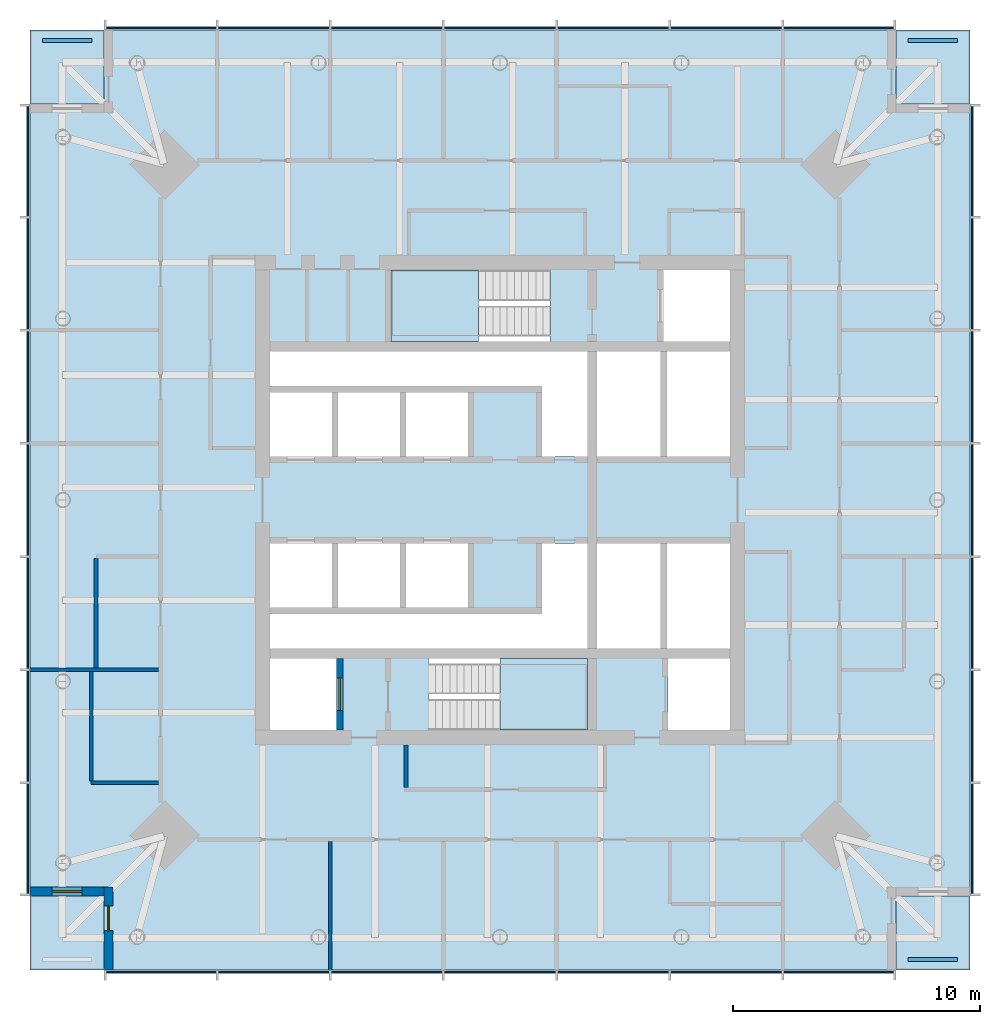
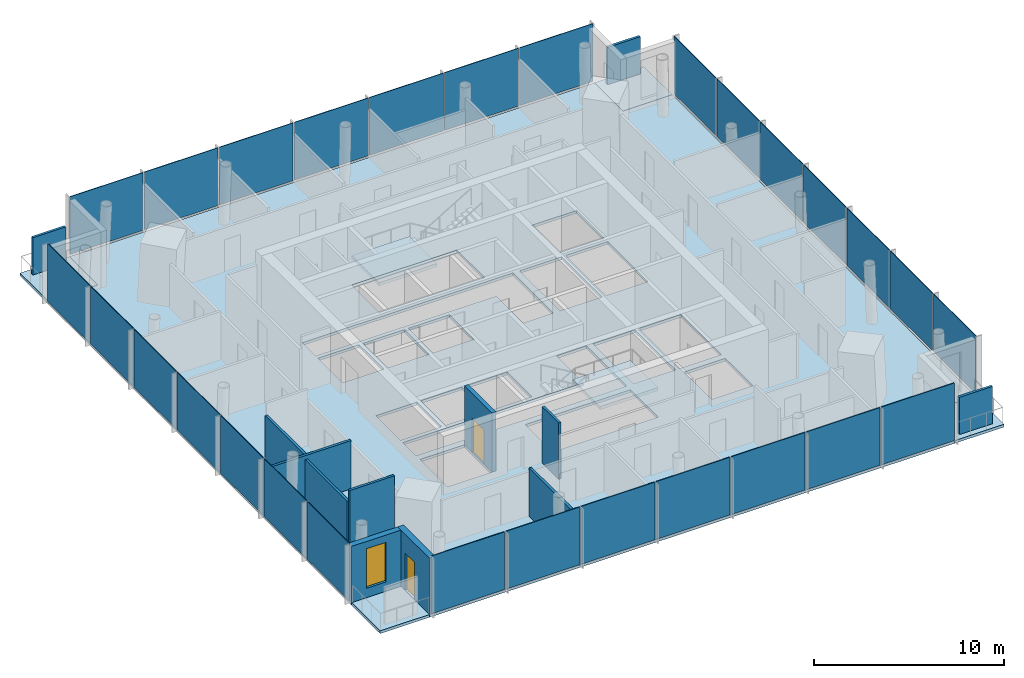
# One storey, part 3 of 7: 31 plates, 9 walls, 7 slabs, 2 doors, 1 window, 3 openings, 6 elements without a shape of their own.
"""IFC4 building model written with IfcOpenShell, lengths in metres."""

import ifcopenshell
import ifcopenshell.guid

model = None  # the IFC model being written
_history = None  # IfcOwnerHistory: only IFC2X3 demands one
_inside = {}  # id of a spatial element -> (the spatial element, [elements in it])
_under = {}  # id of a project, library or spatial element -> (it, [spatial elements below it])
_declared = {}  # id of a project -> (the project, [libraries it declares])
_typed = {}  # id of a type object -> (the type object, [elements of that type])
_made_of = {}  # id of a material, layer set ... -> (it, [elements and type objects made of it])


def new_model(schema):
    """Start an empty IFC model of exactly this schema.

    Asked for "IFC4X3", IfcOpenShell would pick the latest addendum, in which some entities
    have other attributes; the version numbers below select the first issue.
    IFC2X3 requires an IfcOwnerHistory on every rooted entity: one is made here for all.
    """
    global model, _history
    if schema == "IFC4X3":
        model = ifcopenshell.file(schema_version=(4, 3, 0, 0))
    else:
        model = ifcopenshell.file(schema=schema)
    _inside.clear()
    _under.clear()
    _declared.clear()
    _typed.clear()
    _made_of.clear()
    _history = None
    if model.schema == "IFC2X3":
        org = make("IfcOrganization", Name="unknown")
        user = make(
            "IfcPersonAndOrganization",
            ThePerson=make("IfcPerson", FamilyName="unknown"),
            TheOrganization=org,
        )
        app = make(
            "IfcApplication",
            ApplicationDeveloper=org,
            Version="unknown",
            ApplicationFullName="unknown",
            ApplicationIdentifier="unknown",
        )
        _history = make(
            "IfcOwnerHistory",
            OwningUser=user,
            OwningApplication=app,
            ChangeAction="ADDED",
            CreationDate=0,
        )
    return model


def make(cls, **values):
    """One entity of the class cls with the attributes given. An attribute that is None is left unset."""
    return model.create_entity(
        cls, **{name: value for name, value in values.items() if value is not None}
    )


def rooted(cls, **values):
    """An entity with a GlobalId (a new one), such as an element, a storey or a relation."""
    return make(cls, GlobalId=ifcopenshell.guid.new(), OwnerHistory=_history, **values)


def si_unit(unit_type, name, prefix=None):
    """IfcSIUnit, for example si_unit("LENGTHUNIT", "METRE", prefix="MILLI")."""
    return make("IfcSIUnit", UnitType=unit_type, Prefix=prefix, Name=name)


def assignment(units):
    """IfcUnitAssignment: the units of a project."""
    return None if units is None else make("IfcUnitAssignment", Units=units)


def point(xyz):
    """IfcCartesianPoint."""
    return None if xyz is None else make("IfcCartesianPoint", Coordinates=xyz)


def direction(xyz):
    """IfcDirection."""
    return None if xyz is None else make("IfcDirection", DirectionRatios=xyz)


def frame(location, z_axis=None, x_axis=None):
    """IfcAxis2Placement3D, a coordinate frame: its origin and axes. An axis left out is left unset."""
    return make(
        "IfcAxis2Placement3D",
        Location=point(location),
        Axis=direction(z_axis),
        RefDirection=direction(x_axis),
    )


def frame_2d(location, x_axis=None):
    """IfcAxis2Placement2D, a coordinate frame in the plane: its origin and x axis."""
    return make(
        "IfcAxis2Placement2D", Location=point(location), RefDirection=direction(x_axis)
    )


def origin():
    """The frame at (0, 0, 0) with its axes left unset."""
    return frame((0.0, 0.0, 0.0))


def origin_2d():
    """The frame at (0, 0) in the plane with its x axis left unset."""
    return frame_2d((0.0, 0.0))


def place(relative_to, where):
    """IfcLocalPlacement: puts the frame where relative to a parent placement (None: the world)."""
    return make(
        "IfcLocalPlacement", PlacementRelTo=relative_to, RelativePlacement=where
    )


def context(
    kind, dimensions, precision=None, world=None, true_north=None, identifier=None
):
    """IfcGeometricRepresentationContext, for example the 3D "Model" context."""
    return make(
        "IfcGeometricRepresentationContext",
        ContextIdentifier=identifier,
        ContextType=kind,
        CoordinateSpaceDimension=dimensions,
        Precision=precision,
        WorldCoordinateSystem=world,
        TrueNorth=true_north,
    )


def subcontext(parent, identifier, kind, view, scale=None):
    """IfcGeometricRepresentationSubContext, for example "Body" below "Model"."""
    return make(
        "IfcGeometricRepresentationSubContext",
        ContextIdentifier=identifier,
        ContextType=kind,
        ParentContext=parent,
        TargetScale=scale,
        TargetView=view,
    )


def project(units=None, contexts=None):
    """IfcProject with its units and contexts."""
    return rooted(
        "IfcProject",
        Name="project",
        RepresentationContexts=contexts,
        UnitsInContext=assignment(units),
    )


def spatial(cls, under=None, at=None, **own):
    """A site, building, storey or space (cls), placed at a placement, below another one or the project."""
    s = rooted(cls, ObjectPlacement=at, **own)
    if under is not None:
        _under.setdefault(under.id(), (under, []))[1].append(s)
    return s


def polyline(points):
    """IfcPolyline through the points."""
    return make("IfcPolyline", Points=[point(p) for p in points])


def profile(cls, at=None, kind="AREA", **sizes):
    """A parametric profile (cls). Its sizes go by their IFC names, for example OverallWidth=200.0."""
    return make(cls, ProfileType=kind, Position=at, **sizes)


def rectangle(**sizes):
    """IfcRectangleProfileDef."""
    return profile("IfcRectangleProfileDef", **sizes)


def outline(outer, holes=None, kind="AREA"):
    """IfcArbitraryClosedProfileDef: a profile drawn as a closed curve; with holes, ...WithVoids."""
    if holes is None:
        return make("IfcArbitraryClosedProfileDef", ProfileType=kind, OuterCurve=outer)
    return make(
        "IfcArbitraryProfileDefWithVoids",
        ProfileType=kind,
        OuterCurve=outer,
        InnerCurves=holes,
    )


def extrude(swept, where, along, depth):
    """IfcExtrudedAreaSolid: the profile swept, set in the frame where, extruded along a direction by depth."""
    return make(
        "IfcExtrudedAreaSolid",
        SweptArea=swept,
        Position=where,
        ExtrudedDirection=direction(along),
        Depth=depth,
    )


def shape(context_of_items, identifier, shape_type, items):
    """IfcShapeRepresentation: the items that make up one representation, for example the "Body"."""
    return make(
        "IfcShapeRepresentation",
        ContextOfItems=context_of_items,
        RepresentationIdentifier=identifier,
        RepresentationType=shape_type,
        Items=items,
    )


def material(Name=None, Category=None):
    """IfcMaterial."""
    return make("IfcMaterial", Name=Name, Category=Category)


def layer(
    of_material, thickness, ventilated=None, Name=None, Category=None, Priority=None
):
    """IfcMaterialLayer: one layer of a wall or slab, of a material (None: an air gap)."""
    return make(
        "IfcMaterialLayer",
        Material=of_material,
        LayerThickness=thickness,
        IsVentilated=ventilated,
        Name=Name,
        Category=Category,
        Priority=Priority,
    )


def layer_set(layers, Name=None):
    """IfcMaterialLayerSet."""
    return make("IfcMaterialLayerSet", MaterialLayers=layers, LayerSetName=Name)


def made_of(thing, what):
    """Note that an element or type object is made of a material, layer set ...; save() writes the relation."""
    if what is not None:
        _made_of.setdefault(what.id(), (what, []))[1].append(thing)
    return thing


def type_object(cls, material=None, **own):
    """A type object (cls), such as IfcWallType, which elements share."""
    return made_of(rooted(cls, **own), material)


def element(
    cls,
    number,
    at=None,
    inside=None,
    cuts=None,
    type_object=None,
    material=None,
    context=None,
    identifier="Body",
    shape_type=None,
    held_by="IfcProductDefinitionShape",
    body=None,
    shapes=None,
    **own,
):
    """One element of the class cls, such as IfcWall. Its Tag is "e" and its number.

    at: its placement. inside: the storey or other place that contains it. cuts: it is an
    opening in that element (IfcRelVoidsElement). A single representation is given by context,
    identifier, shape_type and body (its items); several are given by shapes. held_by: the class
    of the entity that holds the representations. save() writes the other relations.
    """
    e = rooted(cls, Tag="e%d" % number, ObjectPlacement=at, **own)
    if body is not None:
        shapes = [shape(context, identifier, shape_type, body)]
    if shapes is not None:
        e.Representation = make(held_by, Representations=shapes)
    if inside is not None:
        _inside.setdefault(inside.id(), (inside, []))[1].append(e)
    if cuts is not None:
        rooted(
            "IfcRelVoidsElement", RelatingBuildingElement=cuts, RelatedOpeningElement=e
        )
    if type_object is not None:
        _typed.setdefault(type_object.id(), (type_object, []))[1].append(e)
    return made_of(e, material)


def fill(opening, filler):
    """IfcRelFillsElement: the door or window that sits in an opening."""
    return rooted(
        "IfcRelFillsElement",
        RelatingOpeningElement=opening,
        RelatedBuildingElement=filler,
    )


def aggregate(whole, parts):
    """IfcRelAggregates: a whole, such as a stair, and the parts it consists of."""
    return rooted("IfcRelAggregates", RelatingObject=whole, RelatedObjects=parts)


def save(model, path):
    """Write the relations noted so far, then the file.

    IfcRelAggregates (storeys below a building ...), IfcRelContainedInSpatialStructure (elements
    in a storey), IfcRelDefinesByType, IfcRelAssociatesMaterial and IfcRelDeclares: one each for
    every whole, place, type object, material and project.
    """
    for whole, parts in _under.values():
        aggregate(whole, parts)
    for where, things in _inside.values():
        rooted(
            "IfcRelContainedInSpatialStructure",
            RelatedElements=things,
            RelatingStructure=where,
        )
    for kind, things in _typed.values():
        rooted("IfcRelDefinesByType", RelatedObjects=things, RelatingType=kind)
    for what, things in _made_of.values():
        rooted("IfcRelAssociatesMaterial", RelatedObjects=things, RelatingMaterial=what)
    for by, libraries in _declared.values():
        rooted("IfcRelDeclares", RelatingContext=by, RelatedDefinitions=libraries)
    model.write(path)


model = new_model("IFC4")

# Units and contexts
model_context = context("Model", 3, precision=1e-05, world=origin(), true_north=direction((0.0, 1.0)))
body_context = subcontext(model_context, "Body", "Model", "MODEL_VIEW")
ifc_project = project(units=[si_unit("LENGTHUNIT", "METRE"), si_unit("AREAUNIT", "SQUARE_METRE"), si_unit("VOLUMEUNIT", "CUBIC_METRE"), si_unit("PLANEANGLEUNIT", "RADIAN"), si_unit("MASSUNIT", "GRAM", prefix="KILO")], contexts=[model_context])

# Site, building, storey
site_placement = place(None, origin())
site = spatial("IfcSite", under=ifc_project, at=site_placement, CompositionType="ELEMENT")
building_placement = place(site_placement, origin())
building = spatial("IfcBuilding", under=site, at=building_placement, Name="Ostroluk Exchange", CompositionType="ELEMENT")
storey_placement = place(building_placement, frame((0.0, 0.0, 218.60009765625)))
storey = spatial("IfcBuildingStorey", under=building, at=storey_placement, Name="L56", CompositionType="ELEMENT", Elevation=218.60009765625)

# Slabs
ifc_material_1 = material(Name="Concrete C35/45", Category="concrete")
ifc_layer_1 = layer(ifc_material_1, 0.179931640625)
ifc_layer_set_1 = layer_set([ifc_layer_1], Name="Balcony slab 180")
slab_type_1 = type_object("IfcSlabType", Name="Balcony slab 180", PredefinedType="USERDEFINED", material=ifc_layer_set_1)
slab_1_placement = place(storey_placement, frame((0.0, 0.0, -0.18017578125)))
element("IfcSlab", 1, at=slab_1_placement, inside=storey, type_object=slab_type_1, Name="Office tower SE corner balcony L56", ObjectType="BALCONY", PredefinedType="USERDEFINED", context=body_context, shape_type="SweptSolid", body=[
    extrude(outline(polyline([(61.0, 27.0), (64.0, 27.0), (64.0, 30.0), (61.0, 30.0), (61.0, 27.0)])), origin(), (0.0, 0.0, 1.0), 0.18017578125),
])
slab_2_placement = place(storey_placement, frame((0.0, 0.0, -0.18017578125)))
element("IfcSlab", 2, at=slab_2_placement, inside=storey, type_object=slab_type_1, Name="Office tower NE corner balcony L56", ObjectType="BALCONY", PredefinedType="USERDEFINED", context=body_context, shape_type="SweptSolid", body=[
    extrude(outline(polyline([(61.0, 62.0), (64.0, 62.0), (64.0, 65.0), (61.0, 65.0), (61.0, 62.0)])), origin(), (0.0, 0.0, 1.0), 0.18017578125),
])
slab_3_placement = place(storey_placement, frame((0.0, 0.0, -0.18017578125)))
element("IfcSlab", 3, at=slab_3_placement, inside=storey, type_object=slab_type_1, Name="Office tower NW corner balcony L56", ObjectType="BALCONY", PredefinedType="USERDEFINED", context=body_context, shape_type="SweptSolid", body=[
    extrude(outline(polyline([(26.0, 62.0), (29.0, 62.0), (29.0, 65.0), (26.0, 65.0), (26.0, 62.0)])), origin(), (0.0, 0.0, 1.0), 0.18017578125),
])
slab_4_placement = place(storey_placement, frame((0.0, 0.0, -0.18017578125)))
element("IfcSlab", 4, at=slab_4_placement, inside=storey, type_object=slab_type_1, Name="Office tower SW corner balcony L56", ObjectType="BALCONY", PredefinedType="USERDEFINED", context=body_context, shape_type="SweptSolid", body=[
    extrude(outline(polyline([(26.0, 27.0), (29.0, 27.0), (29.0, 30.0), (26.0, 30.0), (26.0, 27.0)])), origin(), (0.0, 0.0, 1.0), 0.18017578125),
])

# Plates
ifc_material_2 = material(Name="Steel S355 trellis with planting", Category="steel")
ifc_layer_2 = layer(ifc_material_2, 0.14990234375)
ifc_layer_set_2 = layer_set([ifc_layer_2], Name="Planted screen 150")
plate_type_1 = type_object("IfcPlateType", Name="Planted screen 150", PredefinedType="USERDEFINED", material=ifc_layer_set_2)
for number, where, z_axis, x_axis, name in (
    (5, (62.5, 27.425048828125, 0.0), (0.0, 0.0, 1.0), (1.0, 0.0, 0.0), "Office tower SE planted screen L56"),
    (6, (62.5, 64.574951171875, 0.0), (0.0, 0.0, 1.0), (1.0, 0.0, 0.0), "Office tower NE planted screen L56"),
    (7, (27.5, 64.574951171875, 0.0), (0.0, 0.0, 1.0), (1.0, 0.0, 0.0), "Office tower NW planted screen L56"),
):
    element("IfcPlate", number, at=place(storey_placement, frame(where, z_axis=z_axis, x_axis=x_axis)), inside=storey, type_object=plate_type_1, Name=name, ObjectType="PLANTED SCREEN", PredefinedType="USERDEFINED", context=body_context, shape_type="SweptSolid", body=[
        extrude(rectangle(XDim=2.0, YDim=0.14990234375, at=origin_2d()), origin(), (0.0, 0.0, 1.0), 2.39990234375),
    ])

# Stair, slab
ifc_material_3 = material(Name="Concrete C30/37", Category="concrete")
stair_type = type_object("IfcStairType", Name="Exit stair half turn 3800", PredefinedType="HALF_TURN_STAIR", material=ifc_material_3)
stair_1_placement = place(storey_placement, origin())
stair_1 = element("IfcStair", 8, at=stair_1_placement, inside=storey, type_object=stair_type, Name="Stair T1-S1 L56", PredefinedType="HALF_TURN_STAIR")
ifc_material_4 = material(Name="Concrete C30/37", Category="concrete")
ifc_layer_3 = layer(ifc_material_4, 0.199951171875)
ifc_layer_set_3 = layer_set([ifc_layer_3], Name="Stair landing 200")
slab_type_2 = type_object("IfcSlabType", Name="Stair landing 200", PredefinedType="LANDING", material=ifc_layer_set_3)
slab_5_placement = place(storey_placement, frame((0.0, 0.0, 1.699951171875)))
slab_5 = element("IfcSlab", 9, at=slab_5_placement, type_object=slab_type_2, Name="T1-S1 landing 1", PredefinedType="LANDING", context=body_context, shape_type="SweptSolid", body=[
    extrude(outline(polyline([(45.0, 36.699951171875), (45.0, 39.60009765625), (48.530029296875, 39.60009765625), (48.530029296875, 36.699951171875), (45.0, 36.699951171875)])), origin(), (0.0, 0.0, 1.0), 0.199951171875),
])
aggregate(stair_1, [slab_5])

stair_2_placement = place(storey_placement, origin())
stair_2 = element("IfcStair", 10, at=stair_2_placement, inside=storey, type_object=stair_type, Name="Stair T1-S2 L56", PredefinedType="HALF_TURN_STAIR")
slab_6_placement = place(storey_placement, frame((0.0, 0.0, 1.699951171875)))
slab_6 = element("IfcSlab", 11, at=slab_6_placement, type_object=slab_type_2, Name="T1-S2 landing 1", PredefinedType="LANDING", context=body_context, shape_type="SweptSolid", body=[
    extrude(outline(polyline([(44.1298828125, 52.39990234375), (44.1298828125, 55.300048828125), (40.60009765625, 55.300048828125), (40.60009765625, 52.39990234375), (44.1298828125, 52.39990234375)])), origin(), (0.0, 0.0, 1.0), 0.199951171875),
])
aggregate(stair_2, [slab_6])

# Slab
ifc_material_5 = material(Name="Concrete C35/45", Category="concrete")
ifc_layer_4 = layer(ifc_material_5, 0.179931640625)
ifc_layer_set_4 = layer_set([ifc_layer_4], Name="Tower floor slab 180 composite")
slab_type_3 = type_object("IfcSlabType", Name="Tower floor slab 180 composite", PredefinedType="FLOOR", material=ifc_layer_set_4)
slab_7_placement = place(storey_placement, frame((0.0, 0.0, -0.18017578125)))
element("IfcSlab", 12, at=slab_7_placement, inside=storey, type_object=slab_type_3, Name="Office tower floor slab L56", PredefinedType="FLOOR", context=body_context, shape_type="SweptSolid", body=[
    extrude(outline(polyline([(29.0, 27.0), (61.0, 27.0), (61.0, 30.0), (64.0, 30.0), (64.0, 62.0), (61.0, 62.0), (61.0, 65.0), (29.0, 65.0), (29.0, 62.0), (26.0, 62.0), (26.0, 30.0), (29.0, 30.0), (29.0, 27.0)]), holes=[polyline([(35.699951171875, 36.699951171875), (38.39990234375, 36.699951171875), (38.39990234375, 39.60009765625), (35.699951171875, 39.60009765625), (35.699951171875, 36.699951171875)]), polyline([(42.110107421875, 36.699951171875), (48.530029296875, 36.699951171875), (48.530029296875, 39.60009765625), (42.110107421875, 39.60009765625), (42.110107421875, 36.699951171875)]), polyline([(51.800048828125, 36.699951171875), (54.300048828125, 36.699951171875), (54.300048828125, 39.60009765625), (51.800048828125, 39.60009765625), (51.800048828125, 36.699951171875)]), polyline([(40.60009765625, 52.39990234375), (47.02001953125, 52.39990234375), (47.02001953125, 55.300048828125), (40.60009765625, 55.300048828125), (40.60009765625, 52.39990234375)]), polyline([(51.60009765625, 52.39990234375), (54.300048828125, 52.39990234375), (54.300048828125, 55.300048828125), (51.60009765625, 55.300048828125), (51.60009765625, 52.39990234375)]), polyline([(35.699951171875, 47.75), (38.199951171875, 47.75), (38.199951171875, 50.35009765625), (35.699951171875, 50.35009765625), (35.699951171875, 47.75)]), polyline([(38.449951171875, 47.75), (40.949951171875, 47.75), (40.949951171875, 50.35009765625), (38.449951171875, 50.35009765625), (38.449951171875, 47.75)]), polyline([(41.199951171875, 47.75), (43.699951171875, 47.75), (43.699951171875, 50.35009765625), (41.199951171875, 50.35009765625), (41.199951171875, 47.75)]), polyline([(35.699951171875, 41.64990234375), (38.199951171875, 41.64990234375), (38.199951171875, 44.25), (35.699951171875, 44.25), (35.699951171875, 41.64990234375)]), polyline([(38.449951171875, 41.64990234375), (40.949951171875, 41.64990234375), (40.949951171875, 44.25), (38.449951171875, 44.25), (38.449951171875, 41.64990234375)]), polyline([(41.199951171875, 41.64990234375), (43.699951171875, 41.64990234375), (43.699951171875, 44.25), (41.199951171875, 44.25), (41.199951171875, 41.64990234375)]), polyline([(48.929931640625, 47.75), (51.489990234375, 47.75), (51.489990234375, 52.0), (48.929931640625, 52.0), (48.929931640625, 47.75)]), polyline([(51.739990234375, 47.75), (54.300048828125, 47.75), (54.300048828125, 52.0), (51.739990234375, 52.0), (51.739990234375, 47.75)]), polyline([(48.929931640625, 40.0), (51.489990234375, 40.0), (51.489990234375, 44.25), (48.929931640625, 44.25), (48.929931640625, 40.0)]), polyline([(51.739990234375, 40.0), (54.300048828125, 40.0), (54.300048828125, 44.25), (51.739990234375, 44.25), (51.739990234375, 40.0)]), polyline([(48.530029296875, 52.0), (48.530029296875, 47.75), (46.699951171875, 47.75), (46.699951171875, 50.60009765625), (35.699951171875, 50.60009765625), (35.699951171875, 52.0), (48.530029296875, 52.0)]), polyline([(35.699951171875, 40.0), (35.699951171875, 41.39990234375), (46.699951171875, 41.39990234375), (46.699951171875, 44.25), (48.530029296875, 44.25), (48.530029296875, 40.0), (35.699951171875, 40.0)])]), origin(), (0.0, 0.0, 1.0), 0.18017578125),
])

# Curtain wall, plates
ifc_material_6 = material(Name="Laminated clear glass", Category="glass")
curtain_wall_type = type_object("IfcCurtainWallType", Name="Office tower facade", PredefinedType="USERDEFINED", material=ifc_material_6)
curtain_wall_1_placement = place(storey_placement, origin())
curtain_wall_1 = element("IfcCurtainWall", 13, at=curtain_wall_1_placement, inside=storey, type_object=curtain_wall_type, Name="Office tower south facade L56", ObjectType="UNITISED CURTAIN WALL", PredefinedType="USERDEFINED")
ifc_material_7 = material(Name="Laminated clear glass", Category="glass")
ifc_layer_5 = layer(ifc_material_7, 0.0439453125)
ifc_layer_set_5 = layer_set([ifc_layer_5], Name="Triple laminated clear glazing 44")
plate_type_2 = type_object("IfcPlateType", Name="Triple laminated clear glazing 44", PredefinedType="CURTAIN_PANEL", material=ifc_layer_set_5)
plate_1_placement = place(storey_placement, frame((31.3056640625, 26.925048828125, 0.080078125), z_axis=(0.0, 0.0, 1.0), x_axis=(1.0, 0.0, 0.0)))
plate_1 = element("IfcPlate", 14, at=plate_1_placement, type_object=plate_type_2, Name="CW-O1 panel 1.1", PredefinedType="CURTAIN_PANEL", context=body_context, shape_type="SweptSolid", body=[
    extrude(rectangle(XDim=4.451416015625, YDim=0.0439453125, at=origin_2d()), origin(), (0.0, 0.0, 1.0), 3.719970703125),
])
plate_2_placement = place(storey_placement, frame((35.857177734375, 26.925048828125, 0.080078125), z_axis=(0.0, 0.0, 1.0), x_axis=(1.0, 0.0, 0.0)))
plate_2 = element("IfcPlate", 15, at=plate_2_placement, type_object=plate_type_2, Name="CW-O1 panel 2.1", PredefinedType="CURTAIN_PANEL", context=body_context, shape_type="SweptSolid", body=[
    extrude(rectangle(XDim=4.491455078125, YDim=0.0439453125, at=origin_2d()), origin(), (0.0, 0.0, 1.0), 3.719970703125),
])
plate_3_placement = place(storey_placement, frame((40.428466796875, 26.925048828125, 0.080078125), z_axis=(0.0, 0.0, 1.0), x_axis=(1.0, 0.0, 0.0)))
plate_3 = element("IfcPlate", 16, at=plate_3_placement, type_object=plate_type_2, Name="CW-O1 panel 3.1", PredefinedType="CURTAIN_PANEL", context=body_context, shape_type="SweptSolid", body=[
    extrude(rectangle(XDim=4.491455078125, YDim=0.0439453125, at=origin_2d()), origin(), (0.0, 0.0, 1.0), 3.719970703125),
])
plate_4_placement = place(storey_placement, frame((45.0, 26.925048828125, 0.080078125), z_axis=(0.0, 0.0, 1.0), x_axis=(1.0, 0.0, 0.0)))
plate_4 = element("IfcPlate", 17, at=plate_4_placement, type_object=plate_type_2, Name="CW-O1 panel 4.1", PredefinedType="CURTAIN_PANEL", context=body_context, shape_type="SweptSolid", body=[
    extrude(rectangle(XDim=4.491455078125, YDim=0.0439453125, at=origin_2d()), origin(), (0.0, 0.0, 1.0), 3.719970703125),
])
plate_5_placement = place(storey_placement, frame((49.571533203125, 26.925048828125, 0.080078125), z_axis=(0.0, 0.0, 1.0), x_axis=(1.0, 0.0, 0.0)))
plate_5 = element("IfcPlate", 18, at=plate_5_placement, type_object=plate_type_2, Name="CW-O1 panel 5.1", PredefinedType="CURTAIN_PANEL", context=body_context, shape_type="SweptSolid", body=[
    extrude(rectangle(XDim=4.491455078125, YDim=0.0439453125, at=origin_2d()), origin(), (0.0, 0.0, 1.0), 3.719970703125),
])
plate_6_placement = place(storey_placement, frame((54.142822265625, 26.925048828125, 0.080078125), z_axis=(0.0, 0.0, 1.0), x_axis=(1.0, 0.0, 0.0)))
plate_6 = element("IfcPlate", 19, at=plate_6_placement, type_object=plate_type_2, Name="CW-O1 panel 6.1", PredefinedType="CURTAIN_PANEL", context=body_context, shape_type="SweptSolid", body=[
    extrude(rectangle(XDim=4.491455078125, YDim=0.0439453125, at=origin_2d()), origin(), (0.0, 0.0, 1.0), 3.719970703125),
])
plate_7_placement = place(storey_placement, frame((58.6943359375, 26.925048828125, 0.080078125), z_axis=(0.0, 0.0, 1.0), x_axis=(1.0, 0.0, 0.0)))
plate_7 = element("IfcPlate", 20, at=plate_7_placement, type_object=plate_type_2, Name="CW-O1 panel 7.1", PredefinedType="CURTAIN_PANEL", context=body_context, shape_type="SweptSolid", body=[
    extrude(rectangle(XDim=4.451416015625, YDim=0.0439453125, at=origin_2d()), origin(), (0.0, 0.0, 1.0), 3.719970703125),
])
aggregate(curtain_wall_1, [plate_1, plate_2, plate_3, plate_4, plate_5, plate_6, plate_7])

curtain_wall_2_placement = place(storey_placement, origin())
curtain_wall_2 = element("IfcCurtainWall", 21, at=curtain_wall_2_placement, inside=storey, type_object=curtain_wall_type, Name="Office tower east facade L56", ObjectType="UNITISED CURTAIN WALL", PredefinedType="USERDEFINED")
plate_8_placement = place(storey_placement, frame((64.074951171875, 32.3056640625, 0.080078125), z_axis=(0.0, 0.0, 1.0), x_axis=(0.0, 1.0, 0.0)))
plate_8 = element("IfcPlate", 22, at=plate_8_placement, type_object=plate_type_2, Name="CW-O1 panel 1.1", PredefinedType="CURTAIN_PANEL", context=body_context, shape_type="SweptSolid", body=[
    extrude(rectangle(XDim=4.451416015625, YDim=0.0439453125, at=origin_2d()), origin(), (0.0, 0.0, 1.0), 3.719970703125),
])
plate_9_placement = place(storey_placement, frame((64.074951171875, 36.857177734375, 0.080078125), z_axis=(0.0, 0.0, 1.0), x_axis=(0.0, 1.0, 0.0)))
plate_9 = element("IfcPlate", 23, at=plate_9_placement, type_object=plate_type_2, Name="CW-O1 panel 2.1", PredefinedType="CURTAIN_PANEL", context=body_context, shape_type="SweptSolid", body=[
    extrude(rectangle(XDim=4.491455078125, YDim=0.0439453125, at=origin_2d()), origin(), (0.0, 0.0, 1.0), 3.719970703125),
])
plate_10_placement = place(storey_placement, frame((64.074951171875, 41.428466796875, 0.080078125), z_axis=(0.0, 0.0, 1.0), x_axis=(0.0, 1.0, 0.0)))
plate_10 = element("IfcPlate", 24, at=plate_10_placement, type_object=plate_type_2, Name="CW-O1 panel 3.1", PredefinedType="CURTAIN_PANEL", context=body_context, shape_type="SweptSolid", body=[
    extrude(rectangle(XDim=4.491455078125, YDim=0.0439453125, at=origin_2d()), origin(), (0.0, 0.0, 1.0), 3.719970703125),
])
plate_11_placement = place(storey_placement, frame((64.074951171875, 46.0, 0.080078125), z_axis=(0.0, 0.0, 1.0), x_axis=(0.0, 1.0, 0.0)))
plate_11 = element("IfcPlate", 25, at=plate_11_placement, type_object=plate_type_2, Name="CW-O1 panel 4.1", PredefinedType="CURTAIN_PANEL", context=body_context, shape_type="SweptSolid", body=[
    extrude(rectangle(XDim=4.491455078125, YDim=0.0439453125, at=origin_2d()), origin(), (0.0, 0.0, 1.0), 3.719970703125),
])
plate_12_placement = place(storey_placement, frame((64.074951171875, 50.571533203125, 0.080078125), z_axis=(0.0, 0.0, 1.0), x_axis=(0.0, 1.0, 0.0)))
plate_12 = element("IfcPlate", 26, at=plate_12_placement, type_object=plate_type_2, Name="CW-O1 panel 5.1", PredefinedType="CURTAIN_PANEL", context=body_context, shape_type="SweptSolid", body=[
    extrude(rectangle(XDim=4.491455078125, YDim=0.0439453125, at=origin_2d()), origin(), (0.0, 0.0, 1.0), 3.719970703125),
])
plate_13_placement = place(storey_placement, frame((64.074951171875, 55.142822265625, 0.080078125), z_axis=(0.0, 0.0, 1.0), x_axis=(0.0, 1.0, 0.0)))
plate_13 = element("IfcPlate", 27, at=plate_13_placement, type_object=plate_type_2, Name="CW-O1 panel 6.1", PredefinedType="CURTAIN_PANEL", context=body_context, shape_type="SweptSolid", body=[
    extrude(rectangle(XDim=4.491455078125, YDim=0.0439453125, at=origin_2d()), origin(), (0.0, 0.0, 1.0), 3.719970703125),
])
plate_14_placement = place(storey_placement, frame((64.074951171875, 59.6943359375, 0.080078125), z_axis=(0.0, 0.0, 1.0), x_axis=(0.0, 1.0, 0.0)))
plate_14 = element("IfcPlate", 28, at=plate_14_placement, type_object=plate_type_2, Name="CW-O1 panel 7.1", PredefinedType="CURTAIN_PANEL", context=body_context, shape_type="SweptSolid", body=[
    extrude(rectangle(XDim=4.451416015625, YDim=0.0439453125, at=origin_2d()), origin(), (0.0, 0.0, 1.0), 3.719970703125),
])
aggregate(curtain_wall_2, [plate_8, plate_9, plate_10, plate_11, plate_12, plate_13, plate_14])

curtain_wall_3_placement = place(storey_placement, origin())
curtain_wall_3 = element("IfcCurtainWall", 29, at=curtain_wall_3_placement, inside=storey, type_object=curtain_wall_type, Name="Office tower north facade L56", ObjectType="UNITISED CURTAIN WALL", PredefinedType="USERDEFINED")
plate_15_placement = place(storey_placement, frame((58.6943359375, 65.074951171875, 0.080078125), z_axis=(0.0, 0.0, 1.0), x_axis=(-1.0, 0.0, 0.0)))
plate_15 = element("IfcPlate", 30, at=plate_15_placement, type_object=plate_type_2, Name="CW-O1 panel 1.1", PredefinedType="CURTAIN_PANEL", context=body_context, shape_type="SweptSolid", body=[
    extrude(rectangle(XDim=4.451416015625, YDim=0.0439453125, at=origin_2d()), origin(), (0.0, 0.0, 1.0), 3.719970703125),
])
plate_16_placement = place(storey_placement, frame((54.142822265625, 65.074951171875, 0.080078125), z_axis=(0.0, 0.0, 1.0), x_axis=(-1.0, 0.0, 0.0)))
plate_16 = element("IfcPlate", 31, at=plate_16_placement, type_object=plate_type_2, Name="CW-O1 panel 2.1", PredefinedType="CURTAIN_PANEL", context=body_context, shape_type="SweptSolid", body=[
    extrude(rectangle(XDim=4.491455078125, YDim=0.0439453125, at=origin_2d()), origin(), (0.0, 0.0, 1.0), 3.719970703125),
])
plate_17_placement = place(storey_placement, frame((49.571533203125, 65.074951171875, 0.080078125), z_axis=(0.0, 0.0, 1.0), x_axis=(-1.0, 0.0, 0.0)))
plate_17 = element("IfcPlate", 32, at=plate_17_placement, type_object=plate_type_2, Name="CW-O1 panel 3.1", PredefinedType="CURTAIN_PANEL", context=body_context, shape_type="SweptSolid", body=[
    extrude(rectangle(XDim=4.491455078125, YDim=0.0439453125, at=origin_2d()), origin(), (0.0, 0.0, 1.0), 3.719970703125),
])
plate_18_placement = place(storey_placement, frame((45.0, 65.074951171875, 0.080078125), z_axis=(0.0, 0.0, 1.0), x_axis=(-1.0, 0.0, 0.0)))
plate_18 = element("IfcPlate", 33, at=plate_18_placement, type_object=plate_type_2, Name="CW-O1 panel 4.1", PredefinedType="CURTAIN_PANEL", context=body_context, shape_type="SweptSolid", body=[
    extrude(rectangle(XDim=4.491455078125, YDim=0.0439453125, at=origin_2d()), origin(), (0.0, 0.0, 1.0), 3.719970703125),
])
plate_19_placement = place(storey_placement, frame((40.428466796875, 65.074951171875, 0.080078125), z_axis=(0.0, 0.0, 1.0), x_axis=(-1.0, 0.0, 0.0)))
plate_19 = element("IfcPlate", 34, at=plate_19_placement, type_object=plate_type_2, Name="CW-O1 panel 5.1", PredefinedType="CURTAIN_PANEL", context=body_context, shape_type="SweptSolid", body=[
    extrude(rectangle(XDim=4.491455078125, YDim=0.0439453125, at=origin_2d()), origin(), (0.0, 0.0, 1.0), 3.719970703125),
])
plate_20_placement = place(storey_placement, frame((35.857177734375, 65.074951171875, 0.080078125), z_axis=(0.0, 0.0, 1.0), x_axis=(-1.0, 0.0, 0.0)))
plate_20 = element("IfcPlate", 35, at=plate_20_placement, type_object=plate_type_2, Name="CW-O1 panel 6.1", PredefinedType="CURTAIN_PANEL", context=body_context, shape_type="SweptSolid", body=[
    extrude(rectangle(XDim=4.491455078125, YDim=0.0439453125, at=origin_2d()), origin(), (0.0, 0.0, 1.0), 3.719970703125),
])
plate_21_placement = place(storey_placement, frame((31.3056640625, 65.074951171875, 0.080078125), z_axis=(0.0, 0.0, 1.0), x_axis=(-1.0, 0.0, 0.0)))
plate_21 = element("IfcPlate", 36, at=plate_21_placement, type_object=plate_type_2, Name="CW-O1 panel 7.1", PredefinedType="CURTAIN_PANEL", context=body_context, shape_type="SweptSolid", body=[
    extrude(rectangle(XDim=4.451416015625, YDim=0.0439453125, at=origin_2d()), origin(), (0.0, 0.0, 1.0), 3.719970703125),
])
aggregate(curtain_wall_3, [plate_15, plate_16, plate_17, plate_18, plate_19, plate_20, plate_21])

curtain_wall_4_placement = place(storey_placement, origin())
curtain_wall_4 = element("IfcCurtainWall", 37, at=curtain_wall_4_placement, inside=storey, type_object=curtain_wall_type, Name="Office tower west facade L56", ObjectType="UNITISED CURTAIN WALL", PredefinedType="USERDEFINED")
plate_22_placement = place(storey_placement, frame((25.925048828125, 59.6943359375, 0.080078125), z_axis=(0.0, 0.0, 1.0), x_axis=(0.0, -1.0, 0.0)))
plate_22 = element("IfcPlate", 38, at=plate_22_placement, type_object=plate_type_2, Name="CW-O1 panel 1.1", PredefinedType="CURTAIN_PANEL", context=body_context, shape_type="SweptSolid", body=[
    extrude(rectangle(XDim=4.451416015625, YDim=0.0439453125, at=origin_2d()), origin(), (0.0, 0.0, 1.0), 3.719970703125),
])
plate_23_placement = place(storey_placement, frame((25.925048828125, 55.142822265625, 0.080078125), z_axis=(0.0, 0.0, 1.0), x_axis=(0.0, -1.0, 0.0)))
plate_23 = element("IfcPlate", 39, at=plate_23_placement, type_object=plate_type_2, Name="CW-O1 panel 2.1", PredefinedType="CURTAIN_PANEL", context=body_context, shape_type="SweptSolid", body=[
    extrude(rectangle(XDim=4.491455078125, YDim=0.0439453125, at=origin_2d()), origin(), (0.0, 0.0, 1.0), 3.719970703125),
])
plate_24_placement = place(storey_placement, frame((25.925048828125, 50.571533203125, 0.080078125), z_axis=(0.0, 0.0, 1.0), x_axis=(0.0, -1.0, 0.0)))
plate_24 = element("IfcPlate", 40, at=plate_24_placement, type_object=plate_type_2, Name="CW-O1 panel 3.1", PredefinedType="CURTAIN_PANEL", context=body_context, shape_type="SweptSolid", body=[
    extrude(rectangle(XDim=4.491455078125, YDim=0.0439453125, at=origin_2d()), origin(), (0.0, 0.0, 1.0), 3.719970703125),
])
plate_25_placement = place(storey_placement, frame((25.925048828125, 46.0, 0.080078125), z_axis=(0.0, 0.0, 1.0), x_axis=(0.0, -1.0, 0.0)))
plate_25 = element("IfcPlate", 41, at=plate_25_placement, type_object=plate_type_2, Name="CW-O1 panel 4.1", PredefinedType="CURTAIN_PANEL", context=body_context, shape_type="SweptSolid", body=[
    extrude(rectangle(XDim=4.491455078125, YDim=0.0439453125, at=origin_2d()), origin(), (0.0, 0.0, 1.0), 3.719970703125),
])
plate_26_placement = place(storey_placement, frame((25.925048828125, 41.428466796875, 0.080078125), z_axis=(0.0, 0.0, 1.0), x_axis=(0.0, -1.0, 0.0)))
plate_26 = element("IfcPlate", 42, at=plate_26_placement, type_object=plate_type_2, Name="CW-O1 panel 5.1", PredefinedType="CURTAIN_PANEL", context=body_context, shape_type="SweptSolid", body=[
    extrude(rectangle(XDim=4.491455078125, YDim=0.0439453125, at=origin_2d()), origin(), (0.0, 0.0, 1.0), 3.719970703125),
])
plate_27_placement = place(storey_placement, frame((25.925048828125, 36.857177734375, 0.080078125), z_axis=(0.0, 0.0, 1.0), x_axis=(0.0, -1.0, 0.0)))
plate_27 = element("IfcPlate", 43, at=plate_27_placement, type_object=plate_type_2, Name="CW-O1 panel 6.1", PredefinedType="CURTAIN_PANEL", context=body_context, shape_type="SweptSolid", body=[
    extrude(rectangle(XDim=4.491455078125, YDim=0.0439453125, at=origin_2d()), origin(), (0.0, 0.0, 1.0), 3.719970703125),
])
plate_28_placement = place(storey_placement, frame((25.925048828125, 32.3056640625, 0.080078125), z_axis=(0.0, 0.0, 1.0), x_axis=(0.0, -1.0, 0.0)))
plate_28 = element("IfcPlate", 44, at=plate_28_placement, type_object=plate_type_2, Name="CW-O1 panel 7.1", PredefinedType="CURTAIN_PANEL", context=body_context, shape_type="SweptSolid", body=[
    extrude(rectangle(XDim=4.451416015625, YDim=0.0439453125, at=origin_2d()), origin(), (0.0, 0.0, 1.0), 3.719970703125),
])
aggregate(curtain_wall_4, [plate_22, plate_23, plate_24, plate_25, plate_26, plate_27, plate_28])

# Wall, opening, door
ifc_material_8 = material(Name="Concrete C40/50", Category="concrete")
ifc_layer_6 = layer(ifc_material_8, 0.25)
ifc_layer_set_6 = layer_set([ifc_layer_6], Name="Core shaft wall 250")
wall_type_1 = type_object("IfcWallType", Name="Core shaft wall 250", PredefinedType="SHEAR", material=ifc_layer_set_6)
wall_1_placement = place(storey_placement, frame((38.52490234375, 36.699951171875, 0.0), z_axis=(0.0, 0.0, 1.0), x_axis=(0.0, 1.0, 0.0)))
wall_1 = element("IfcWall", 45, at=wall_1_placement, inside=storey, type_object=wall_type_1, Name="Firefighting lift shaft wall", PredefinedType="SHEAR", context=body_context, shape_type="SweptSolid", body=[
    extrude(rectangle(XDim=2.900146484375, YDim=0.25, at=frame_2d((1.4501953125, 0.0))), origin(), (0.0, 0.0, 1.0), 3.7998046875),
])
opening_1_placement = place(wall_1_placement, frame((0.800048828125, 0.0, 0.0)))
opening_1 = element("IfcOpeningElement", 46, at=opening_1_placement, cuts=wall_1, Name="Opening LD2", PredefinedType="OPENING", context=body_context, shape_type="SweptSolid", body=[
    extrude(rectangle(XDim=1.300048828125, YDim=2.199951171875, at=frame_2d((0.64990234375, 1.10009765625))), frame((0.0, 0.135009765625, 0.0), z_axis=(0.0, -1.0, 0.0), x_axis=(1.0, 0.0, 0.0)), (0.0, 0.0, 1.0), 0.27001953125),
])
ifc_material_9 = material(Name="Stainless steel", Category="steel")
door_type_1 = type_object("IfcDoorType", Name="Lift landing door E 60 1300 x 2200", OperationType="DOUBLE_DOOR_SLIDING", PredefinedType="DOOR", material=ifc_material_9)
door_1_placement = place(opening_1_placement, origin())
door_1 = element("IfcDoor", 47, at=door_1_placement, inside=storey, type_object=door_type_1, Name="Lift FL1 landing door", OperationType="DOUBLE_DOOR_SLIDING", OverallHeight=2.199951171875, OverallWidth=1.300048828125, PredefinedType="DOOR", context=body_context, shape_type="SweptSolid", body=[
    extrude(rectangle(XDim=1.300048828125, YDim=2.199951171875, at=frame_2d((0.64990234375, 1.10009765625))), frame((0.0, 0.02490234375, 0.0), z_axis=(0.0, -1.0, 0.0), x_axis=(1.0, 0.0, 0.0)), (0.0, 0.0, 1.0), 0.050048828125),
])
fill(opening_1, door_1)

ifc_material_10 = material(Name="Limestone", Category="masonry")
ifc_layer_7 = layer(ifc_material_10, 0.35009765625)
ifc_layer_set_7 = layer_set([ifc_layer_7], Name="Limestone facade wall 350")
wall_type_2 = type_object("IfcWallType", Name="Limestone facade wall 350", PredefinedType="SOLIDWALL", material=ifc_layer_set_7)
wall_2_placement = place(storey_placement, frame((29.175048828125, 27.0, 0.0), z_axis=(0.0, 0.0, 1.0), x_axis=(0.0, 1.0, 0.0)))
wall_2 = element("IfcWall", 48, at=wall_2_placement, inside=storey, type_object=wall_type_2, Name="Office tower SW corner wall L56 a", PredefinedType="SOLIDWALL", context=body_context, shape_type="SweptSolid", body=[
    extrude(rectangle(XDim=3.35009765625, YDim=0.35009765625, at=frame_2d((1.675048828125, 0.0))), origin(), (0.0, 0.0, 1.0), 3.619873046875),
])
opening_2_placement = place(wall_2_placement, frame((1.60009765625, 0.0, 0.0)))
opening_2 = element("IfcOpeningElement", 49, at=opening_2_placement, cuts=wall_2, Name="Opening D-B1", PredefinedType="OPENING", context=body_context, shape_type="SweptSolid", body=[
    extrude(rectangle(XDim=1.0, YDim=2.39990234375, at=frame_2d((0.5, 1.199951171875))), frame((0.0, 0.18505859375, 0.0), z_axis=(0.0, -1.0, 0.0), x_axis=(1.0, 0.0, 0.0)), (0.0, 0.0, 1.0), 0.3701171875),
])
ifc_material_11 = material(Name="Bronze framed glazed door", Category="aluminium")
door_type_2 = type_object("IfcDoorType", Name="Balcony door 1000 x 2400", OperationType="SINGLE_SWING_LEFT", PredefinedType="DOOR", material=ifc_material_11)
door_2_placement = place(opening_2_placement, origin())
door_2 = element("IfcDoor", 50, at=door_2_placement, inside=storey, type_object=door_type_2, Name="Office tower SW balcony door L56", OperationType="SINGLE_SWING_RIGHT", OverallHeight=2.39990234375, OverallWidth=1.0, PredefinedType="DOOR", context=body_context, shape_type="SweptSolid", body=[
    extrude(rectangle(XDim=1.0, YDim=2.39990234375, at=frame_2d((0.5, 1.199951171875))), frame((0.0, 0.02490234375, 0.0), z_axis=(0.0, -1.0, 0.0), x_axis=(1.0, 0.0, 0.0)), (0.0, 0.0, 1.0), 0.050048828125),
])
fill(opening_2, door_2)

# Wall, opening, window
wall_3_placement = place(storey_placement, frame((29.0, 30.175048828125, 0.0), z_axis=(0.0, 0.0, 1.0), x_axis=(-1.0, 0.0, 0.0)))
wall_3 = element("IfcWall", 51, at=wall_3_placement, inside=storey, type_object=wall_type_2, Name="Office tower SW corner wall L56 b", PredefinedType="SOLIDWALL", context=body_context, shape_type="SweptSolid", body=[
    extrude(rectangle(XDim=3.0, YDim=0.35009765625, at=frame_2d((1.5, 0.0))), origin(), (0.0, 0.0, 1.0), 3.619873046875),
])
opening_3_placement = place(wall_3_placement, frame((0.89990234375, 0.0, 0.60009765625)))
opening_3 = element("IfcOpeningElement", 52, at=opening_3_placement, cuts=wall_3, Name="Opening WN-L1", PredefinedType="OPENING", context=body_context, shape_type="SweptSolid", body=[
    extrude(rectangle(XDim=1.199951171875, YDim=2.550048828125, at=frame_2d((0.60009765625, 1.27490234375))), frame((0.0, 0.18505859375, 0.0), z_axis=(0.0, -1.0, 0.0), x_axis=(1.0, 0.0, 0.0)), (0.0, 0.0, 1.0), 0.3701171875),
])
ifc_material_12 = material(Name="Laminated clear glass", Category="glass")
window_type = type_object("IfcWindowType", Name="Lancet window 1200 x 2550", PartitioningType="SINGLE_PANEL", PredefinedType="WINDOW", material=ifc_material_12)
window_placement = place(opening_3_placement, origin())
window = element("IfcWindow", 53, at=window_placement, inside=storey, type_object=window_type, Name="Office tower SW lancet window L56", OverallHeight=2.550048828125, OverallWidth=1.199951171875, PartitioningType="SINGLE_PANEL", PredefinedType="WINDOW", context=body_context, shape_type="SweptSolid", body=[
    extrude(rectangle(XDim=1.199951171875, YDim=2.550048828125, at=frame_2d((0.60009765625, 1.27490234375))), frame((0.0, 0.030029296875, 0.0), z_axis=(0.0, -1.0, 0.0), x_axis=(1.0, 0.0, 0.0)), (0.0, 0.0, 1.0), 0.06005859375),
])
fill(opening_3, window)

# Walls
ifc_material_13 = material(Name="Gypsum plasterboard partition", Category="gypsum")
ifc_layer_8 = layer(ifc_material_13, 0.14990234375)
ifc_layer_set_8 = layer_set([ifc_layer_8], Name="Plasterboard partition 150")
wall_type_3 = type_object("IfcWallType", Name="Plasterboard partition 150", PredefinedType="PARTITIONING", material=ifc_layer_set_8)
wall_4_placement = place(storey_placement, frame((41.199951171875, 36.10009765625, 0.0), z_axis=(0.0, 0.0, 1.0), x_axis=(0.0, -1.0, 0.0)))
element("IfcWall", 54, at=wall_4_placement, inside=storey, type_object=wall_type_3, Name="Partition", PredefinedType="PARTITIONING", context=body_context, shape_type="SweptSolid", body=[
    extrude(rectangle(XDim=1.72509765625, YDim=0.14990234375, at=frame_2d((0.862548828125, 0.0))), origin(), (0.0, 0.0, 1.0), 3.619873046875),
])
wall_5_placement = place(storey_placement, frame((31.199951171875, 39.142822265625, 0.0), z_axis=(0.0, 0.0, 1.0), x_axis=(-1.0, 0.0, 0.0)))
element("IfcWall", 55, at=wall_5_placement, inside=storey, type_object=wall_type_3, Name="Partition", PredefinedType="PARTITIONING", context=body_context, shape_type="SweptSolid", body=[
    extrude(rectangle(XDim=5.239990234375, YDim=0.14990234375, at=frame_2d((2.6201171875, 0.0))), origin(), (0.0, 0.0, 1.0), 3.119873046875),
])
wall_6_placement = place(storey_placement, frame((31.199951171875, 34.571533203125, 0.0), z_axis=(0.0, 0.0, 1.0), x_axis=(-1.0, 0.0, 0.0)))
element("IfcWall", 56, at=wall_6_placement, inside=storey, type_object=wall_type_3, Name="Partition", PredefinedType="PARTITIONING", context=body_context, shape_type="SweptSolid", body=[
    extrude(rectangle(XDim=2.724853515625, YDim=0.14990234375, at=frame_2d((1.3623046875, 0.0))), origin(), (0.0, 0.0, 1.0), 3.619873046875),
])
wall_7_placement = place(storey_placement, frame((38.142822265625, 32.199951171875, 0.0), z_axis=(0.0, 0.0, 1.0), x_axis=(0.0, -1.0, 0.0)))
element("IfcWall", 57, at=wall_7_placement, inside=storey, type_object=wall_type_3, Name="Partition", PredefinedType="PARTITIONING", context=body_context, shape_type="SweptSolid", body=[
    extrude(rectangle(XDim=5.239990234375, YDim=0.14990234375, at=frame_2d((2.6201171875, 0.0))), origin(), (0.0, 0.0, 1.0), 3.119873046875),
])
ifc_material_14 = material(Name="Gypsum plasterboard partition, moisture resistant", Category="gypsum")
ifc_layer_9 = layer(ifc_material_14, 0.14990234375)
ifc_layer_set_9 = layer_set([ifc_layer_9], Name="Plasterboard toilet partition 150")
wall_type_4 = type_object("IfcWallType", Name="Plasterboard toilet partition 150", PredefinedType="PARTITIONING", material=ifc_layer_set_9)
wall_8_placement = place(storey_placement, frame((28.675048828125, 43.639404296875, 0.0), z_axis=(0.0, 0.0, 1.0), x_axis=(0.0, -1.0, 0.0)))
element("IfcWall", 58, at=wall_8_placement, inside=storey, type_object=wall_type_4, Name="Toilet partition", PredefinedType="PARTITIONING", context=body_context, shape_type="SweptSolid", body=[
    extrude(rectangle(XDim=4.421630859375, YDim=0.14990234375, at=frame_2d((2.2109375, 0.0))), origin(), (0.0, 0.0, 1.0), 2.866943359375),
])
wall_9_placement = place(storey_placement, frame((28.47509765625, 39.06787109375, 0.0), z_axis=(0.0, 0.0, 1.0), x_axis=(0.0, -1.0, 0.0)))
element("IfcWall", 59, at=wall_9_placement, inside=storey, type_object=wall_type_4, Name="Toilet partition", PredefinedType="PARTITIONING", context=body_context, shape_type="SweptSolid", body=[
    extrude(rectangle(XDim=4.42138671875, YDim=0.14990234375, at=frame_2d((2.210693359375, 0.0))), origin(), (0.0, 0.0, 1.0), 2.866943359375),
])

save(model, "model.ifc")
